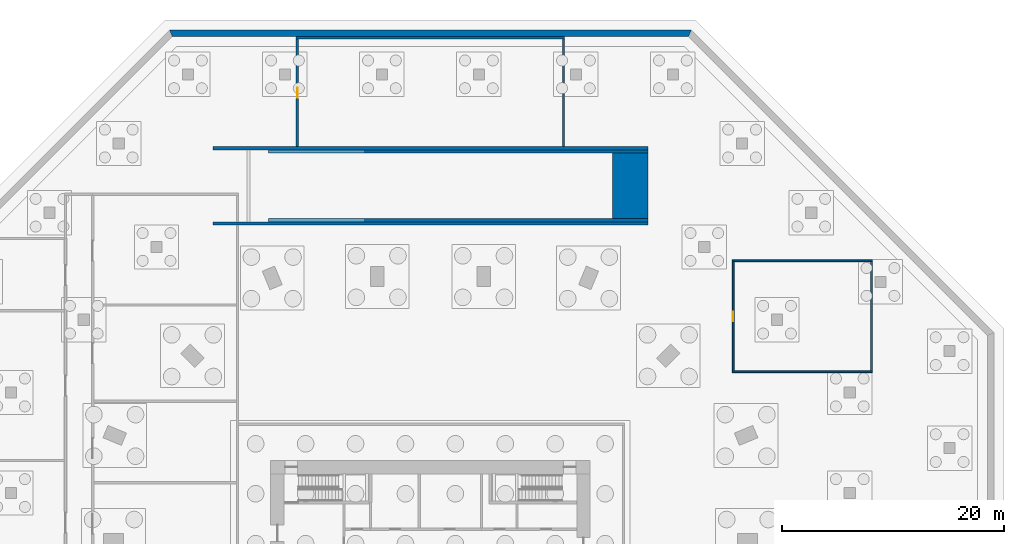
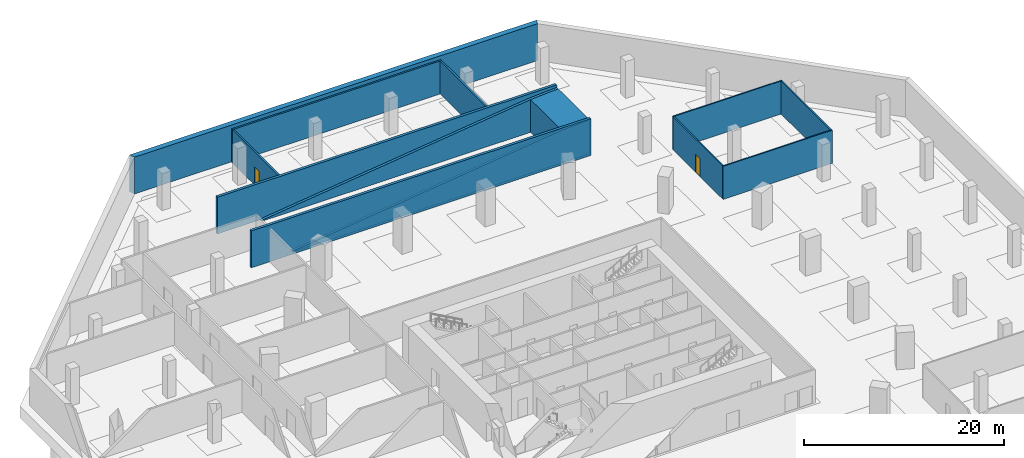
# One storey, part 11 of 14: 13 walls, 2 doors, 2 openings.
"""IFC4 building model written with IfcOpenShell, lengths in metres."""

from ifc_helpers import new_model, si_unit, direction, frame, frame_2d, origin, place, context, subcontext, project, spatial, polyline, rectangle, outline, extrude, material, layer, layer_set, type_object, element, fill, save


model = new_model("IFC4")

# Units and contexts
model_context = context("Model", 3, precision=1e-05, world=origin(), true_north=direction((0.0, 1.0)))
body_context = subcontext(model_context, "Body", "Model", "MODEL_VIEW")
ifc_project = project(units=[si_unit("LENGTHUNIT", "METRE"), si_unit("AREAUNIT", "SQUARE_METRE"), si_unit("VOLUMEUNIT", "CUBIC_METRE"), si_unit("PLANEANGLEUNIT", "RADIAN"), si_unit("MASSUNIT", "GRAM", prefix="KILO")], contexts=[model_context])

# Site, building, storey
site_placement = place(None, origin())
site = spatial("IfcSite", under=ifc_project, at=site_placement, CompositionType="ELEMENT")
building_placement = place(site_placement, origin())
building = spatial("IfcBuilding", under=site, at=building_placement, Name="Msitu Wima Residences", CompositionType="ELEMENT")
storey_placement = place(building_placement, frame((0.0, 0.0, -9.0)))
storey = spatial("IfcBuildingStorey", under=building, at=storey_placement, Name="B2", CompositionType="ELEMENT", Elevation=-9.0)

# Wall, opening, door
ifc_material_1 = material(Name="Plaster")
ifc_layer_1 = layer(ifc_material_1, 0.011962890625, Name="Plaster")
ifc_material_2 = material(Name="Concrete blockwork", Category="masonry")
ifc_layer_2 = layer(ifc_material_2, 0.1259765625, Name="Concrete blockwork")
ifc_layer_3 = layer(ifc_material_1, 0.011962890625, Name="Plaster")
ifc_layer_set_1 = layer_set([ifc_layer_1, ifc_layer_2, ifc_layer_3], Name="Concrete blockwork")
wall_type_1 = type_object("IfcWallType", Name="Partition PW150", PredefinedType="PARTITIONING", material=ifc_layer_set_1)
wall_1_placement = place(storey_placement, frame((27.2919921875, 20.074951171875, 0.0), z_axis=(0.0, 0.0, 1.0), x_axis=(0.0, 1.0, 0.0)))
wall_1 = element("IfcWall", 1, at=wall_1_placement, inside=storey, type_object=wall_type_1, Name="Partition", PredefinedType="PARTITIONING", context=body_context, shape_type="SweptSolid", body=[
    extrude(rectangle(XDim=9.85009765625, YDim=0.14990234375, at=frame_2d((4.925048828125, 0.0))), origin(), (0.0, 0.0, 1.0), 4.048095703125),
])
opening_1_placement = place(wall_1_placement, frame((4.449951171875, 0.0, 0.0)))
opening_1 = element("IfcOpeningElement", 2, at=opening_1_placement, cuts=wall_1, Name="Opening DB2.044", PredefinedType="OPENING", context=body_context, shape_type="SweptSolid", body=[
    extrude(rectangle(XDim=0.89990234375, YDim=2.199951171875, at=frame_2d((0.449951171875, 1.10009765625))), frame((0.0, 0.0849609375, 0.0), z_axis=(0.0, -1.0, 0.0), x_axis=(1.0, 0.0, 0.0)), (0.0, 0.0, 1.0), 0.169921875),
])
ifc_material_3 = material(Name="Timber flush door", Category="wood")
door_type = type_object("IfcDoorType", Name="Service door D05 900x2200", OperationType="SINGLE_SWING_LEFT", PredefinedType="DOOR", material=ifc_material_3)
door_1_placement = place(opening_1_placement, origin())
door_1 = element("IfcDoor", 3, at=door_1_placement, inside=storey, type_object=door_type, Name="Service door", OperationType="SINGLE_SWING_RIGHT", OverallHeight=2.199951171875, OverallWidth=0.89990234375, PredefinedType="DOOR", context=body_context, shape_type="SweptSolid", body=[
    extrude(rectangle(XDim=0.89990234375, YDim=2.199951171875, at=frame_2d((0.449951171875, 1.10009765625))), frame((0.0, 0.02490234375, 0.0), z_axis=(0.0, -1.0, 0.0), x_axis=(1.0, 0.0, 0.0)), (0.0, 0.0, 1.0), 0.050048828125),
])
fill(opening_1, door_1)

# Walls
for number, where, z_axis, x_axis, name in (
    (4, (27.216796875, 20.0, 0.0), (0.0, 0.0, 1.0), (1.0, 0.0, 0.0), "Partition"),
    (5, (27.216796875, 30.0, 0.0), (0.0, 0.0, 1.0), (1.0, 0.0, 0.0), "Partition"),
):
    element("IfcWall", number, at=place(storey_placement, frame(where, z_axis=z_axis, x_axis=x_axis)), inside=storey, type_object=wall_type_1, Name=name, PredefinedType="PARTITIONING", context=body_context, shape_type="SweptSolid", body=[
        extrude(rectangle(XDim=12.6220703125, YDim=0.14990234375, at=frame_2d((6.31103515625, 0.0))), origin(), (0.0, 0.0, 1.0), 4.048095703125),
    ])
wall_2_placement = place(storey_placement, frame((39.763916015625, 20.074951171875, 0.0), z_axis=(0.0, 0.0, 1.0), x_axis=(0.0, 1.0, 0.0)))
element("IfcWall", 6, at=wall_2_placement, inside=storey, type_object=wall_type_1, Name="Partition", PredefinedType="PARTITIONING", context=body_context, shape_type="SweptSolid", body=[
    extrude(rectangle(XDim=9.85009765625, YDim=0.14990234375, at=frame_2d((4.925048828125, 0.0))), origin(), (0.0, 0.0, 1.0), 4.048095703125),
])

# Wall, opening, door
ifc_layer_4 = layer(ifc_material_1, 0.011962890625, Name="Plaster")
ifc_material_4 = material(Name="Reinforced concrete blockwork", Category="masonry")
ifc_layer_5 = layer(ifc_material_4, 0.176025390625, Name="Reinforced concrete blockwork")
ifc_layer_6 = layer(ifc_material_1, 0.011962890625, Name="Plaster")
ifc_layer_set_2 = layer_set([ifc_layer_4, ifc_layer_5, ifc_layer_6], Name="Reinforced concrete blockwork")
wall_type_2 = type_object("IfcWallType", Name="Plant and riser wall PL200", PredefinedType="PARTITIONING", material=ifc_layer_set_2)
wall_3_placement = place(storey_placement, frame((-12.0, 40.300048828125, 0.0), z_axis=(0.0, 0.0, 1.0), x_axis=(0.0, 1.0, 0.0)))
wall_3 = element("IfcWall", 7, at=wall_3_placement, inside=storey, type_object=wall_type_2, Name="Plant and riser wall", PredefinedType="PARTITIONING", context=body_context, shape_type="SweptSolid", body=[
    extrude(rectangle(XDim=9.699951171875, YDim=0.199951171875, at=frame_2d((4.85009765625, 0.0))), origin(), (0.0, 0.0, 1.0), 4.048095703125),
])
opening_2_placement = place(wall_3_placement, frame((4.39990234375, 0.0, 0.0)))
opening_2 = element("IfcOpeningElement", 8, at=opening_2_placement, cuts=wall_3, Name="Opening DB2.041", PredefinedType="OPENING", context=body_context, shape_type="SweptSolid", body=[
    extrude(rectangle(XDim=0.89990234375, YDim=2.199951171875, at=frame_2d((0.449951171875, 1.10009765625))), frame((0.0, 0.10986328125, 0.0), z_axis=(0.0, -1.0, 0.0), x_axis=(1.0, 0.0, 0.0)), (0.0, 0.0, 1.0), 0.219970703125),
])
door_2_placement = place(opening_2_placement, origin())
door_2 = element("IfcDoor", 9, at=door_2_placement, inside=storey, type_object=door_type, Name="Service door", OperationType="SINGLE_SWING_LEFT", OverallHeight=2.199951171875, OverallWidth=0.89990234375, PredefinedType="DOOR", context=body_context, shape_type="SweptSolid", body=[
    extrude(rectangle(XDim=0.89990234375, YDim=2.199951171875, at=frame_2d((0.449951171875, 1.10009765625))), frame((0.0, 0.02490234375, 0.0), z_axis=(0.0, -1.0, 0.0), x_axis=(1.0, 0.0, 0.0)), (0.0, 0.0, 1.0), 0.050048828125),
])
fill(opening_2, door_2)

# Walls
wall_4_placement = place(storey_placement, frame((-12.10009765625, 50.10009765625, 0.0), z_axis=(0.0, 0.0, 1.0), x_axis=(1.0, 0.0, 0.0)))
element("IfcWall", 10, at=wall_4_placement, inside=storey, type_object=wall_type_2, Name="Plant and riser wall", PredefinedType="PARTITIONING", context=body_context, shape_type="SweptSolid", body=[
    extrude(rectangle(XDim=24.2001953125, YDim=0.199951171875, at=frame_2d((12.10009765625, 0.0))), origin(), (0.0, 0.0, 1.0), 4.048095703125),
])
wall_5_placement = place(storey_placement, frame((12.0, 40.300048828125, 0.0), z_axis=(0.0, 0.0, 1.0), x_axis=(0.0, 1.0, 0.0)))
element("IfcWall", 11, at=wall_5_placement, inside=storey, type_object=wall_type_2, Name="Plant and riser wall", PredefinedType="PARTITIONING", context=body_context, shape_type="SweptSolid", body=[
    extrude(rectangle(XDim=9.699951171875, YDim=0.199951171875, at=frame_2d((4.85009765625, 0.0))), origin(), (0.0, 0.0, 1.0), 4.048095703125),
])
ifc_material_5 = material(Name="Concrete C60/75", Category="concrete")
ifc_layer_7 = layer(ifc_material_5, 5.89990234375)
ifc_layer_set_3 = layer_set([ifc_layer_7], Name="Concrete C60/75")
wall_type_3 = type_object("IfcWallType", Name="Ramp bearing block RB2", PredefinedType="SOLIDWALL", material=ifc_layer_set_3)
wall_6_placement = place(storey_placement, frame((19.60009765625, 36.75, 0.0), z_axis=(0.0, 0.0, 1.0), x_axis=(-1.0, 0.0, 0.0)))
element("IfcWall", 12, at=wall_6_placement, inside=storey, type_object=wall_type_3, Name="Ramp bearing block", PredefinedType="SOLIDWALL", context=body_context, shape_type="SweptSolid", body=[
    extrude(outline(polyline([(0.0, 0.0), (3.199951171875, 0.0), (3.199951171875, 4.0), (0.0, 4.199951171875), (0.0, 0.0)])), frame((0.0, 2.949951171875, 0.0), z_axis=(0.0, -1.0, 0.0), x_axis=(1.0, 0.0, 0.0)), (0.0, 0.0, 1.0), 5.89990234375),
])
ifc_layer_8 = layer(ifc_material_5, 0.300048828125)
ifc_layer_set_4 = layer_set([ifc_layer_8], Name="Concrete C60/75")
wall_type_4 = type_object("IfcWallType", Name="Ramp support wall RS300", PredefinedType="SOLIDWALL", material=ifc_layer_set_4)
for number, where, z_axis, x_axis, name in (
    (13, (19.60009765625, 33.64990234375, 0.0), (0.0, 0.0, 1.0), (-1.0, 0.0, 0.0), "Ramp support wall"),
    (14, (19.60009765625, 39.85009765625, 0.0), (0.0, 0.0, 1.0), (-1.0, 0.0, 0.0), "Ramp support wall"),
):
    element("IfcWall", number, at=place(storey_placement, frame(where, z_axis=z_axis, x_axis=x_axis)), inside=storey, type_object=wall_type_4, Name=name, PredefinedType="SOLIDWALL", context=body_context, shape_type="SweptSolid", body=[
        extrude(outline(polyline([(0.0, 0.0), (34.199951171875, 0.0), (34.199951171875, 0.125), (3.199951171875, 4.0), (0.0, 4.199951171875), (0.0, 0.0)])), frame((0.0, 0.14990234375, 0.0), z_axis=(0.0, -1.0, 0.0), x_axis=(1.0, 0.0, 0.0)), (0.0, 0.0, 1.0), 0.300048828125),
    ])
ifc_layer_9 = layer(ifc_material_5, 0.300048828125)
ifc_layer_set_5 = layer_set([ifc_layer_9], Name="Concrete C60/75")
wall_type_5 = type_object("IfcWallType", Name="Ramp tunnel wall RT300", PredefinedType="SOLIDWALL", material=ifc_layer_set_5)
for number, where, z_axis, x_axis, name in (
    (15, (-19.60009765625, 33.35009765625, 0.0), (0.0, 0.0, 1.0), (1.0, 0.0, 0.0), "Ramp tunnel wall"),
    (16, (-19.60009765625, 40.14990234375, 0.0), (0.0, 0.0, 1.0), (1.0, 0.0, 0.0), "Ramp tunnel wall"),
):
    element("IfcWall", number, at=place(storey_placement, frame(where, z_axis=z_axis, x_axis=x_axis)), inside=storey, type_object=wall_type_5, Name=name, PredefinedType="SOLIDWALL", context=body_context, shape_type="SweptSolid", body=[
        extrude(rectangle(XDim=39.2001953125, YDim=0.300048828125, at=frame_2d((19.60009765625, 0.0))), origin(), (0.0, 0.0, 1.0), 4.5),
    ])
ifc_layer_10 = layer(ifc_material_5, 0.60009765625)
ifc_layer_set_6 = layer_set([ifc_layer_10], Name="Concrete C60/75")
wall_type_6 = type_object("IfcWallType", Name="Retaining wall RW600", PredefinedType="SOLIDWALL", material=ifc_layer_set_6)
wall_7_placement = place(storey_placement, origin())
element("IfcWall", 17, at=wall_7_placement, inside=storey, type_object=wall_type_6, Name="Basement retaining wall N B2", PredefinedType="SOLIDWALL", context=body_context, shape_type="SweptSolid", body=[
    extrude(outline(polyline([(23.5126953125, 50.800048828125), (-23.5126953125, 50.800048828125), (-23.26416015625, 50.199951171875), (23.26416015625, 50.199951171875), (23.5126953125, 50.800048828125)])), origin(), (0.0, 0.0, 1.0), 4.5),
])

save(model, "model.ifc")
